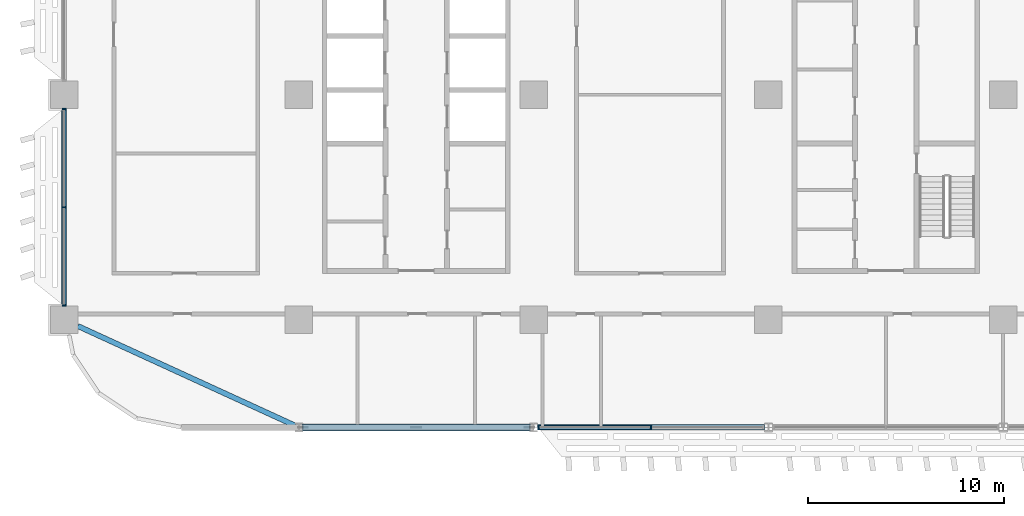
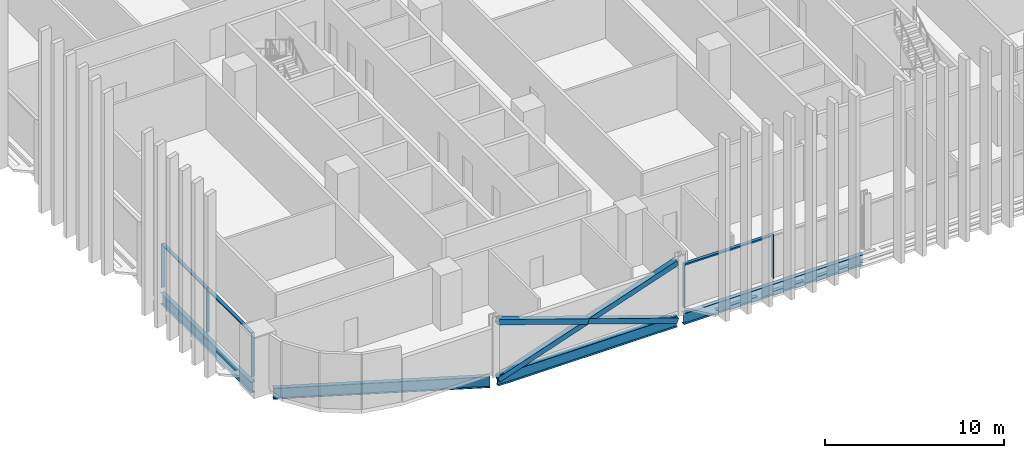
# One storey, part 3 of 31: 11 members, 4 beams, 2 elements without a shape of their own.
"""IFC4 building model written with IfcOpenShell, lengths in metres."""

from ifc_helpers import new_model, si_unit, direction, frame, origin, origin_2d, place, context, subcontext, project, spatial, rectangle, hollow_rectangle, i_section, extrude, material, material_profile, profile_set, type_object, element, aggregate, save


model = new_model("IFC4")

# Units and contexts
model_context = context("Model", 3, precision=1e-05, world=origin(), true_north=direction((0.0, 1.0)))
body_context = subcontext(model_context, "Body", "Model", "MODEL_VIEW")
ifc_project = project(units=[si_unit("LENGTHUNIT", "METRE"), si_unit("AREAUNIT", "SQUARE_METRE"), si_unit("VOLUMEUNIT", "CUBIC_METRE"), si_unit("PLANEANGLEUNIT", "RADIAN"), si_unit("MASSUNIT", "GRAM", prefix="KILO")], contexts=[model_context])

# Site, building, storey
site_placement = place(None, origin())
site = spatial("IfcSite", under=ifc_project, at=site_placement, CompositionType="ELEMENT")
building_placement = place(site_placement, origin())
building = spatial("IfcBuilding", under=site, at=building_placement, Name="Mahtab Terrace Research Tower", CompositionType="ELEMENT")
storey_placement = place(building_placement, frame((0.0, 0.0, 101.199951171875)))
storey = spatial("IfcBuildingStorey", under=building, at=storey_placement, Name="L23", CompositionType="ELEMENT", Elevation=101.199951171875)

# Members
ifc_material_1 = material(Name="Steel ASTM A500 Gr C", Category="steel")
ifc_material_profile_1 = material_profile(ifc_material_1, hollow_rectangle(XDim=0.355712890625, YDim=0.355712890625, WallThickness=0.01904296875, at=origin_2d()), Name="HSS14X14X3/4")
ifc_profile_set_1 = profile_set([ifc_material_profile_1], Name="Steel ASTM A500 Gr C")
member_type_1 = type_object("IfcMemberType", Name="HSS 14x14x3/4 brace XB141434", PredefinedType="BRACE", material=ifc_profile_set_1)
member_1_placement = place(storey_placement, frame((-29.79052734375, -17.0, -0.646728515625), z_axis=(0.946292853795, 0.0, 0.323310740397), x_axis=(0.0, 1.0, 0.0)))
element("IfcMember", 1, at=member_1_placement, inside=storey, type_object=member_type_1, Name="Exoskeleton brace L23 13 a", PredefinedType="BRACE", context=body_context, shape_type="SweptSolid", body=[
    extrude(hollow_rectangle(XDim=0.355712890625, YDim=0.355712890625, WallThickness=0.01904296875, at=origin_2d()), origin(), (0.0, 0.0, 1.0), 12.23828125),
])
for number, where, z_axis, x_axis, name in (
    (2, (-18.20947265625, -17.0, -0.646728515625), (-0.946298956945, 0.0, 0.323292876639), (0.0, -1.0, 0.0), "Exoskeleton brace L23 13 b1"),
    (3, (-24.0, -17.0, 1.33154296875), (-0.946286750388, 0.0, 0.323328603809), (0.0, -1.0, 0.0), "Exoskeleton brace L23 13 b2"),
):
    element("IfcMember", number, at=place(storey_placement, frame(where, z_axis=z_axis, x_axis=x_axis)), inside=storey, type_object=member_type_1, Name=name, PredefinedType="BRACE", context=body_context, shape_type="SweptSolid", body=[
        extrude(hollow_rectangle(XDim=0.355712890625, YDim=0.355712890625, WallThickness=0.01904296875, at=origin_2d()), origin(), (0.0, 0.0, 1.0), 6.119140625),
    ])

# Curtain wall, members
ifc_material_2 = material(Name="Laboratory ribbon curtain wall")
curtain_wall_type = type_object("IfcCurtainWallType", Name="Laboratory ribbon curtain wall", PredefinedType="NOTDEFINED", material=ifc_material_2)
curtain_wall_1_placement = place(storey_placement, origin())
curtain_wall_1 = element("IfcCurtainWall", 4, at=curtain_wall_1_placement, inside=storey, type_object=curtain_wall_type, Name="EN.L23.8.18", PredefinedType="NOTDEFINED")
ifc_material_3 = material(Name="Natural anodised aluminium", Category="aluminium")
ifc_material_profile_2 = material_profile(ifc_material_3, rectangle(XDim=0.199951171875, YDim=0.06494140625, at=origin_2d()), Name="MULLION 65x200")
ifc_profile_set_2 = profile_set([ifc_material_profile_2], Name="Natural anodised aluminium")
member_type_2 = type_object("IfcMemberType", Name="Laboratory ribbon curtain wall mullion", PredefinedType="MULLION", material=ifc_profile_set_2)
member_2_placement = place(storey_placement, frame((-42.0, -0.732421875, 0.0), z_axis=(0.0, 0.0, 1.0), x_axis=(1.0, 0.0, 0.0)))
member_2 = element("IfcMember", 5, at=member_2_placement, type_object=member_type_2, Name="CWL-3 mullion 1", PredefinedType="MULLION", context=body_context, shape_type="SweptSolid", body=[
    extrude(rectangle(XDim=0.199951171875, YDim=0.06494140625, at=origin_2d()), origin(), (0.0, 0.0, 1.0), 3.003173828125),
])
member_3_placement = place(storey_placement, frame((-42.0, -5.75, 0.0), z_axis=(0.0, 0.0, 1.0), x_axis=(1.0, 0.0, 0.0)))
member_3 = element("IfcMember", 6, at=member_3_placement, type_object=member_type_2, Name="CWL-3 mullion 2", PredefinedType="MULLION", context=body_context, shape_type="SweptSolid", body=[
    extrude(rectangle(XDim=0.199951171875, YDim=0.06494140625, at=origin_2d()), origin(), (0.0, 0.0, 1.0), 3.003173828125),
])
member_4_placement = place(storey_placement, frame((-42.0, -10.767578125, 0.0), z_axis=(0.0, 0.0, 1.0), x_axis=(1.0, 0.0, 0.0)))
member_4 = element("IfcMember", 7, at=member_4_placement, type_object=member_type_2, Name="CWL-3 mullion 3", PredefinedType="MULLION", context=body_context, shape_type="SweptSolid", body=[
    extrude(rectangle(XDim=0.199951171875, YDim=0.06494140625, at=origin_2d()), origin(), (0.0, 0.0, 1.0), 3.003173828125),
])

curtain_wall_2_placement = place(storey_placement, origin())
curtain_wall_2 = element("IfcCurtainWall", 8, at=curtain_wall_2_placement, inside=storey, type_object=curtain_wall_type, Name="EN.L23.13.25", PredefinedType="NOTDEFINED")
member_5_placement = place(storey_placement, frame((-17.739501953125, -17.0, 0.0), z_axis=(0.0, 0.0, 1.0), x_axis=(0.0, 1.0, 0.0)))
member_5 = element("IfcMember", 9, at=member_5_placement, type_object=member_type_2, Name="CWL-3 mullion 1", PredefinedType="MULLION", context=body_context, shape_type="SweptSolid", body=[
    extrude(rectangle(XDim=0.199951171875, YDim=0.06494140625, at=origin_2d()), origin(), (0.0, 0.0, 1.0), 3.003173828125),
])
member_6_placement = place(storey_placement, frame((-12.0, -17.0, 0.0), z_axis=(0.0, 0.0, 1.0), x_axis=(0.0, 1.0, 0.0)))
member_6 = element("IfcMember", 10, at=member_6_placement, type_object=member_type_2, Name="CWL-3 mullion 2", PredefinedType="MULLION", context=body_context, shape_type="SweptSolid", body=[
    extrude(rectangle(XDim=0.199951171875, YDim=0.06494140625, at=origin_2d()), origin(), (0.0, 0.0, 1.0), 3.003173828125),
])

# Member
ifc_material_profile_3 = material_profile(ifc_material_3, rectangle(XDim=0.199951171875, YDim=0.10009765625, at=origin_2d()), Name="TRANSOM 100x200")
ifc_profile_set_3 = profile_set([ifc_material_profile_3], Name="Natural anodised aluminium")
member_type_3 = type_object("IfcMemberType", Name="Laboratory ribbon curtain wall transom", PredefinedType="USERDEFINED", material=ifc_profile_set_3)
member_7_placement = place(storey_placement, frame((-42.0, -0.764892578125, 2.953125), z_axis=(0.0, -1.0, 0.0), x_axis=(1.0, 0.0, 0.0)))
member_7 = element("IfcMember", 11, at=member_7_placement, type_object=member_type_3, Name="CWL-3 transom 1", ObjectType="TRANSOM", PredefinedType="USERDEFINED", context=body_context, shape_type="SweptSolid", body=[
    extrude(rectangle(XDim=0.199951171875, YDim=0.10009765625, at=origin_2d()), origin(), (0.0, 0.0, 1.0), 4.95263671875),
])

member_8_placement = place(storey_placement, frame((-42.0, -5.782470703125, 2.953125), z_axis=(0.0, -1.0, 0.0), x_axis=(1.0, 0.0, 0.0)))
member_8 = element("IfcMember", 12, at=member_8_placement, type_object=member_type_3, Name="CWL-3 transom 2", ObjectType="TRANSOM", PredefinedType="USERDEFINED", context=body_context, shape_type="SweptSolid", body=[
    extrude(rectangle(XDim=0.199951171875, YDim=0.10009765625, at=origin_2d()), origin(), (0.0, 0.0, 1.0), 4.95263671875),
])

aggregate(curtain_wall_1, [member_2, member_3, member_4, member_7, member_8])

member_9_placement = place(storey_placement, frame((-17.70703125, -17.0, 2.953125), z_axis=(1.0, 0.0, 0.0), x_axis=(0.0, 1.0, 0.0)))
member_9 = element("IfcMember", 13, at=member_9_placement, type_object=member_type_3, Name="CWL-3 transom 1", ObjectType="TRANSOM", PredefinedType="USERDEFINED", context=body_context, shape_type="SweptSolid", body=[
    extrude(rectangle(XDim=0.199951171875, YDim=0.10009765625, at=origin_2d()), origin(), (0.0, 0.0, 1.0), 5.674560546875),
])

aggregate(curtain_wall_2, [member_5, member_6, member_9])

# Beams
ifc_material_4 = material(Name="Steel ASTM A992 Gr 50", Category="steel")
ifc_material_profile_4 = material_profile(ifc_material_4, i_section(OverallWidth=0.2666015625, OverallDepth=0.7568359375, WebThickness=0.013916015625, FlangeThickness=0.019287109375, at=origin_2d()), Name="W30X108")
ifc_profile_set_4 = profile_set([ifc_material_profile_4], Name="Steel ASTM A992 Gr 50")
beam_type = type_object("IfcBeamType", Name="W30x108 beam BS30108", PredefinedType="BEAM", material=ifc_profile_set_4)
beam_1_placement = place(storey_placement, frame((-42.0, -0.699951171875, -0.718505859375), z_axis=(0.0, -1.0, 0.0), x_axis=(1.0, 0.0, 0.0)))
element("IfcBeam", 14, at=beam_1_placement, inside=storey, type_object=beam_type, Name="Spandrel beam L23 11", PredefinedType="BEAM", context=body_context, shape_type="SweptSolid", body=[
    extrude(i_section(OverallWidth=0.2666015625, OverallDepth=0.7568359375, WebThickness=0.013916015625, FlangeThickness=0.019287109375, at=origin_2d()), origin(), (0.0, 0.0, 1.0), 10.10009765625),
])
beam_2_placement = place(storey_placement, frame((-41.300048828125, -11.82080078125, -0.718505859375), z_axis=(0.909062612141, -0.41665953392, 0.0), x_axis=(0.41665953392, 0.909062612141, 0.0)))
element("IfcBeam", 15, at=beam_2_placement, inside=storey, type_object=beam_type, Name="Spandrel beam L23 12", PredefinedType="BEAM", context=body_context, shape_type="SweptSolid", body=[
    extrude(i_section(OverallWidth=0.2666015625, OverallDepth=0.7568359375, WebThickness=0.013916015625, FlangeThickness=0.019287109375, at=origin_2d()), origin(), (0.0, 0.0, 1.0), 12.199951171875),
])
for number, where, z_axis, x_axis, name in (
    (16, (-29.79052734375, -17.0, -0.718505859375), (1.0, 0.0, 0.0), (0.0, 1.0, 0.0), "Spandrel beam L23 13"),
    (17, (-17.79052734375, -17.0, -0.718505859375), (1.0, 0.0, 0.0), (0.0, 1.0, 0.0), "Spandrel beam L23 14"),
):
    element("IfcBeam", number, at=place(storey_placement, frame(where, z_axis=z_axis, x_axis=x_axis)), inside=storey, type_object=beam_type, Name=name, PredefinedType="BEAM", context=body_context, shape_type="SweptSolid", body=[
        extrude(i_section(OverallWidth=0.2666015625, OverallDepth=0.7568359375, WebThickness=0.013916015625, FlangeThickness=0.019287109375, at=origin_2d()), origin(), (0.0, 0.0, 1.0), 11.5810546875),
    ])

save(model, "model.ifc")
